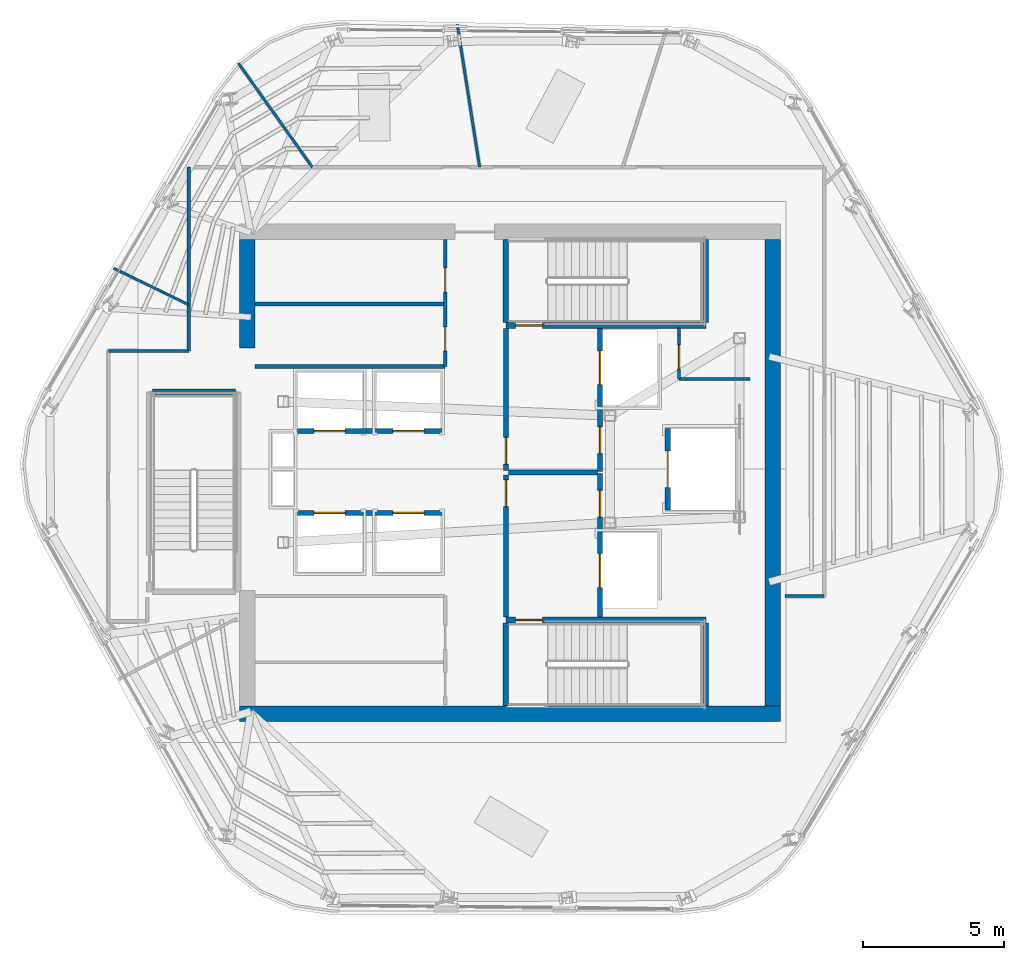
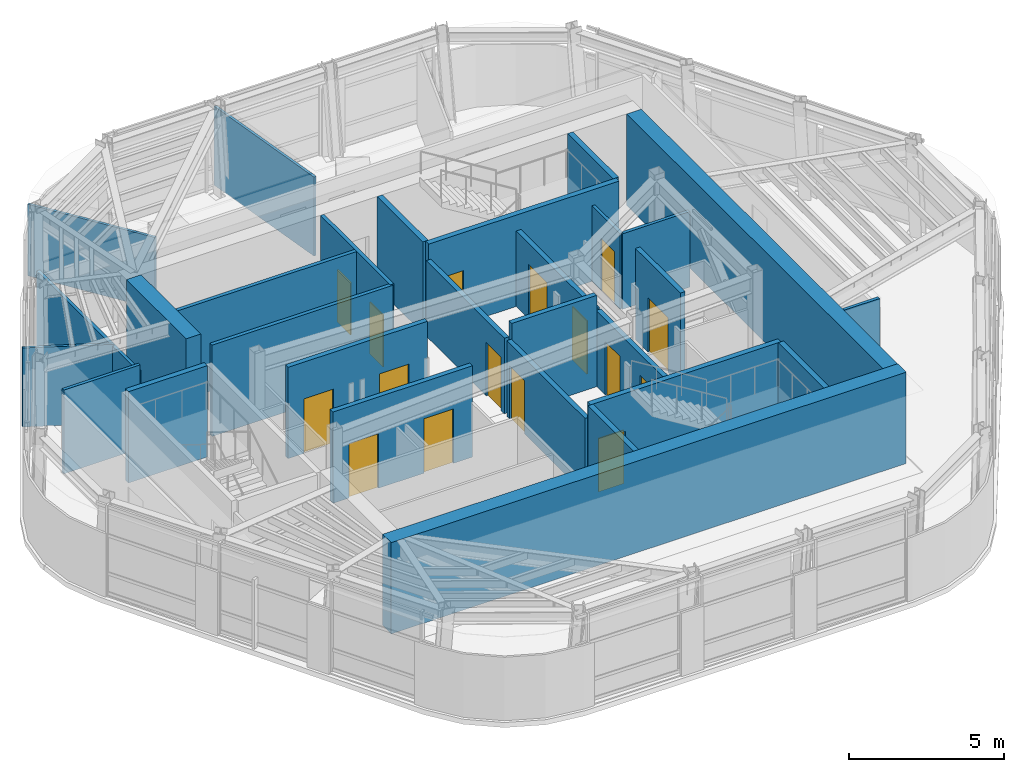
# One storey, part 7 of 13: 29 walls, 16 doors, 16 openings.
"""IFC4 building model written with IfcOpenShell, lengths in metres."""

from ifc_helpers import new_model, si_unit, direction, frame, frame_2d, origin, place, context, subcontext, project, spatial, rectangle, extrude, material, layer, layer_set, type_object, element, fill, save


model = new_model("IFC4")

# Units and contexts
model_context = context("Model", 3, precision=1e-05, world=origin(), true_north=direction((0.0, 1.0)))
body_context = subcontext(model_context, "Body", "Model", "MODEL_VIEW")
ifc_project = project(units=[si_unit("LENGTHUNIT", "METRE"), si_unit("AREAUNIT", "SQUARE_METRE"), si_unit("VOLUMEUNIT", "CUBIC_METRE"), si_unit("PLANEANGLEUNIT", "RADIAN"), si_unit("MASSUNIT", "GRAM", prefix="KILO")], contexts=[model_context])

# Site, building, storey
site_placement = place(None, origin())
site = spatial("IfcSite", under=ifc_project, at=site_placement, CompositionType="ELEMENT")
building_placement = place(site_placement, origin())
building = spatial("IfcBuilding", under=site, at=building_placement, Name="Valkerne Bourse Tower", CompositionType="ELEMENT")
storey_placement = place(building_placement, frame((0.0, 0.0, 281.199951171875)))
storey = spatial("IfcBuildingStorey", under=building, at=storey_placement, Name="L71", CompositionType="ELEMENT", Elevation=281.199951171875)

# Walls
ifc_material_1 = material(Name="Concrete C55/67", Category="concrete")
ifc_layer_1 = layer(ifc_material_1, 0.550048828125)
ifc_layer_set_1 = layer_set([ifc_layer_1], Name="Concrete C55/67")
wall_type_1 = type_object("IfcWallType", Name="W-CORE-550", PredefinedType="SHEAR", material=ifc_layer_set_1)
wall_1_placement = place(storey_placement, frame((37.199951171875, 18.324951171875, 0.0), z_axis=(0.0, 0.0, 1.0), x_axis=(1.0, 0.0, 0.0)))
element("IfcWall", 1, at=wall_1_placement, inside=storey, type_object=wall_type_1, Name="L71 Core Shear Wall SOUTH", PredefinedType="SHEAR", context=body_context, shape_type="SweptSolid", body=[
    extrude(rectangle(XDim=19.199951171875, YDim=0.550048828125, at=frame_2d((9.60009765625, 0.0))), origin(), (0.0, 0.0, 1.0), 3.60009765625),
])
wall_2_placement = place(storey_placement, frame((56.125, 18.60009765625, 0.0), z_axis=(0.0, 0.0, 1.0), x_axis=(0.0, 1.0, 0.0)))
element("IfcWall", 2, at=wall_2_placement, inside=storey, type_object=wall_type_1, Name="L71 Core Shear Wall EAST", PredefinedType="SHEAR", context=body_context, shape_type="SweptSolid", body=[
    extrude(rectangle(XDim=16.5498046875, YDim=0.550048828125, at=frame_2d((8.27490234375, 0.0))), origin(), (0.0, 0.0, 1.0), 3.60009765625),
])
wall_3_placement = place(storey_placement, frame((37.47509765625, 31.300048828125, 0.0), z_axis=(0.0, 0.0, 1.0), x_axis=(0.0, 1.0, 0.0)))
element("IfcWall", 3, at=wall_3_placement, inside=storey, type_object=wall_type_1, Name="L71 Core Shear Wall WEST-N", PredefinedType="SHEAR", context=body_context, shape_type="SweptSolid", body=[
    extrude(rectangle(XDim=3.849853515625, YDim=0.550048828125, at=frame_2d((1.9248046875, 0.0))), origin(), (0.0, 0.0, 1.0), 3.60009765625),
])

# Wall, opening, door
ifc_material_2 = material(Name="Gypsum Board Steel-Stud Partition", Category="steel")
ifc_layer_2 = layer(ifc_material_2, 0.117919921875)
ifc_layer_set_2 = layer_set([ifc_layer_2], Name="Gypsum Board Steel-Stud Partition")
wall_type_2 = type_object("IfcWallType", Name="W-CORR-140", PredefinedType="PARTITIONING", material=ifc_layer_set_2)
wall_4_placement = place(storey_placement, frame((52.800048828125, 30.199951171875, 0.0), z_axis=(0.0, 0.0, 1.0), x_axis=(0.0, 1.0, 0.0)))
wall_4 = element("IfcWall", 4, at=wall_4_placement, inside=storey, type_object=wall_type_2, Name="L71 Core NE Bay West Wall", PredefinedType="PARTITIONING", context=body_context, shape_type="SweptSolid", body=[
    extrude(rectangle(XDim=1.820068359375, YDim=0.117919921875, at=frame_2d((0.91015625, 0.0))), origin(), (0.0, 0.0, 1.0), 2.977783203125),
])
opening_1_placement = place(wall_4_placement, frame((0.35009765625, 0.0, 0.0)))
opening_1 = element("IfcOpeningElement", 5, at=opening_1_placement, cuts=wall_4, Name="Opening D-WC-900", PredefinedType="OPENING", context=body_context, shape_type="SweptSolid", body=[
    extrude(rectangle(XDim=0.860107421875, YDim=2.050048828125, at=frame_2d((0.43017578125, 1.02490234375))), frame((0.0, 0.06884765625, 0.0), z_axis=(0.0, -1.0, 0.0), x_axis=(1.0, 0.0, 0.0)), (0.0, 0.0, 1.0), 0.137939453125),
])
ifc_material_3 = material(Name="Architectural White Oak Timber", Category="wood")
door_type_1 = type_object("IfcDoorType", Name="DR-WC-900", OperationType="NOTDEFINED", PredefinedType="DOOR", material=ifc_material_3)
door_1_placement = place(opening_1_placement, origin())
door_1 = element("IfcDoor", 6, at=door_1_placement, inside=storey, type_object=door_type_1, Name="L71 Electrical Closet Door", OperationType="SINGLE_SWING_LEFT", OverallHeight=2.050048828125, OverallWidth=0.860107421875, PredefinedType="DOOR", context=body_context, shape_type="SweptSolid", body=[
    extrude(rectangle(XDim=0.860107421875, YDim=2.050048828125, at=frame_2d((0.43017578125, 1.02490234375))), frame((0.0, 0.02490234375, 0.0), z_axis=(0.0, -1.0, 0.0), x_axis=(1.0, 0.0, 0.0)), (0.0, 0.0, 1.0), 0.050048828125),
])
fill(opening_1, door_1)

# Walls
wall_5_placement = place(storey_placement, frame((52.800048828125, 30.199951171875, 0.0), z_axis=(0.0, 0.0, 1.0), x_axis=(1.0, 0.0, 0.0)))
element("IfcWall", 7, at=wall_5_placement, inside=storey, type_object=wall_type_2, Name="L71 Core NE Bay South Wall", PredefinedType="PARTITIONING", context=body_context, shape_type="SweptSolid", body=[
    extrude(rectangle(XDim=2.52001953125, YDim=0.117919921875, at=frame_2d((1.260009765625, 0.0))), origin(), (0.0, 0.0, 1.0), 2.977783203125),
])
wall_6_placement = place(storey_placement, frame((35.39990234375, 31.199951171875, 0.0), z_axis=(0.0, 0.0, 1.0), x_axis=(0.0, 1.0, 0.0)))
element("IfcWall", 8, at=wall_6_placement, inside=storey, type_object=wall_type_2, Name="L71 Corridor Enclosure Wall", PredefinedType="PARTITIONING", context=body_context, shape_type="SweptSolid", body=[
    extrude(rectangle(XDim=6.52001953125, YDim=0.117919921875, at=frame_2d((3.260009765625, 0.0))), origin(), (0.0, 0.0, 1.0), 3.04150390625),
])
wall_7_placement = place(storey_placement, frame((57.949951171875, 22.5, 0.0), z_axis=(0.0, 0.0, 1.0), x_axis=(-1.0, 0.0, 0.0)))
element("IfcWall", 9, at=wall_7_placement, inside=storey, type_object=wall_type_2, Name="L71 Corridor Enclosure Wall", PredefinedType="PARTITIONING", context=body_context, shape_type="SweptSolid", body=[
    extrude(rectangle(XDim=1.389892578125, YDim=0.117919921875, at=frame_2d((0.69482421875, 0.0))), origin(), (0.0, 0.0, 1.0), 3.300048828125),
])
wall_8_placement = place(storey_placement, frame((32.550048828125, 31.199951171875, 0.0), z_axis=(0.0, 0.0, 1.0), x_axis=(1.0, 0.0, 0.0)))
element("IfcWall", 10, at=wall_8_placement, inside=storey, type_object=wall_type_2, Name="L71 Corridor Enclosure Wall", PredefinedType="PARTITIONING", context=body_context, shape_type="SweptSolid", body=[
    extrude(rectangle(XDim=2.849853515625, YDim=0.117919921875, at=frame_2d((1.4248046875, 0.0))), origin(), (0.0, 0.0, 1.0), 3.300048828125),
])
ifc_material_4 = material(Name="Gypsum Fire-Rated Shaftwall", Category="gypsum")
ifc_layer_3 = layer(ifc_material_4, 0.179931640625)
ifc_layer_set_3 = layer_set([ifc_layer_3], Name="Gypsum Fire-Rated Shaftwall")
wall_type_3 = type_object("IfcWallType", Name="W-FSAE-180", PredefinedType="PARTITIONING", material=ifc_layer_set_3)
wall_9_placement = place(storey_placement, frame((46.739990234375, 26.8798828125, 0.0), z_axis=(0.0, 0.0, 1.0), x_axis=(1.0, 0.0, 0.0)))
element("IfcWall", 11, at=wall_9_placement, inside=storey, type_object=wall_type_3, Name="L71 FSAE-1/2 Lobby Dividing Fire Wall", PredefinedType="PARTITIONING", context=body_context, shape_type="SweptSolid", body=[
    extrude(rectangle(XDim=3.169921875, YDim=0.179931640625, at=frame_2d((1.5849609375, 0.0))), origin(), (0.0, 0.0, 1.0), 3.60009765625),
])

# Wall, opening, door
wall_10_placement = place(storey_placement, frame((46.64990234375, 21.75, 0.0), z_axis=(0.0, 0.0, 1.0), x_axis=(0.0, 1.0, 0.0)))
wall_10 = element("IfcWall", 12, at=wall_10_placement, inside=storey, type_object=wall_type_3, Name="L71 FSAE-1 Lobby West Fire Wall", PredefinedType="PARTITIONING", context=body_context, shape_type="SweptSolid", body=[
    extrude(rectangle(XDim=5.050048828125, YDim=0.179931640625, at=frame_2d((2.52490234375, 0.0))), origin(), (0.0, 0.0, 1.0), 2.977783203125),
])
opening_2_placement = place(wall_10_placement, frame((3.919921875, 0.0, 0.0)))
opening_2 = element("IfcOpeningElement", 13, at=opening_2_placement, cuts=wall_10, Name="Opening D-FS-950", PredefinedType="OPENING", context=body_context, shape_type="SweptSolid", body=[
    extrude(rectangle(XDim=0.949951171875, YDim=2.10009765625, at=frame_2d((0.47509765625, 1.050048828125))), frame((0.0, 0.099853515625, 0.0), z_axis=(0.0, -1.0, 0.0), x_axis=(1.0, 0.0, 0.0)), (0.0, 0.0, 1.0), 0.199951171875),
])
ifc_material_5 = material(Name="Galvanised Painted Steel", Category="steel")
door_type_2 = type_object("IfcDoorType", Name="DR-FSAE-950", OperationType="NOTDEFINED", PredefinedType="DOOR", material=ifc_material_5)
door_2_placement = place(opening_2_placement, origin())
door_2 = element("IfcDoor", 14, at=door_2_placement, inside=storey, type_object=door_type_2, Name="L71 FSAE-1 Hall Link Fire Door", OperationType="SINGLE_SWING_RIGHT", OverallHeight=2.10009765625, OverallWidth=0.949951171875, PredefinedType="DOOR", context=body_context, shape_type="SweptSolid", body=[
    extrude(rectangle(XDim=0.949951171875, YDim=2.10009765625, at=frame_2d((0.47509765625, 1.050048828125))), frame((0.0, 0.02490234375, 0.0), z_axis=(0.0, -1.0, 0.0), x_axis=(1.0, 0.0, 0.0)), (0.0, 0.0, 1.0), 0.050048828125),
])
fill(opening_2, door_2)

wall_11_placement = place(storey_placement, frame((46.64990234375, 26.9599609375, 0.0), z_axis=(0.0, 0.0, 1.0), x_axis=(0.0, 1.0, 0.0)))
wall_11 = element("IfcWall", 15, at=wall_11_placement, inside=storey, type_object=wall_type_3, Name="L71 FSAE-2 Lobby West Fire Wall", PredefinedType="PARTITIONING", context=body_context, shape_type="SweptSolid", body=[
    extrude(rectangle(XDim=5.0400390625, YDim=0.179931640625, at=frame_2d((2.52001953125, 0.0))), origin(), (0.0, 0.0, 1.0), 2.977783203125),
])
opening_3_placement = place(wall_11_placement, frame((0.219970703125, 0.0, 0.0)))
opening_3 = element("IfcOpeningElement", 16, at=opening_3_placement, cuts=wall_11, Name="Opening D-FS-950", PredefinedType="OPENING", context=body_context, shape_type="SweptSolid", body=[
    extrude(rectangle(XDim=0.949951171875, YDim=2.10009765625, at=frame_2d((0.47509765625, 1.050048828125))), frame((0.0, 0.099853515625, 0.0), z_axis=(0.0, -1.0, 0.0), x_axis=(1.0, 0.0, 0.0)), (0.0, 0.0, 1.0), 0.199951171875),
])
door_3_placement = place(opening_3_placement, origin())
door_3 = element("IfcDoor", 17, at=door_3_placement, inside=storey, type_object=door_type_2, Name="L71 FSAE-2 Hall Link Fire Door", OperationType="SINGLE_SWING_RIGHT", OverallHeight=2.10009765625, OverallWidth=0.949951171875, PredefinedType="DOOR", context=body_context, shape_type="SweptSolid", body=[
    extrude(rectangle(XDim=0.949951171875, YDim=2.10009765625, at=frame_2d((0.47509765625, 1.050048828125))), frame((0.0, 0.02490234375, 0.0), z_axis=(0.0, -1.0, 0.0), x_axis=(1.0, 0.0, 0.0)), (0.0, 0.0, 1.0), 0.050048828125),
])
fill(opening_3, door_3)

# Wall, openings, doors
wall_12_placement = place(storey_placement, frame((50.0, 21.75, 0.0), z_axis=(0.0, 0.0, 1.0), x_axis=(0.0, 1.0, 0.0)))
wall_12 = element("IfcWall", 18, at=wall_12_placement, inside=storey, type_object=wall_type_3, Name="L71 FSAE-1 Lobby & Shaft Front Wall", PredefinedType="PARTITIONING", context=body_context, shape_type="SweptSolid", body=[
    extrude(rectangle(XDim=5.090087890625, YDim=0.179931640625, at=frame_2d((2.544921875, 0.0))), origin(), (0.0, 0.0, 1.0), 2.977783203125),
])
opening_4_placement = place(wall_12_placement, frame((1.050048828125, 0.0, 0.0)))
opening_4 = element("IfcOpeningElement", 19, at=opening_4_placement, cuts=wall_12, Name="Opening LD-1200", PredefinedType="OPENING", context=body_context, shape_type="SweptSolid", body=[
    extrude(rectangle(XDim=1.199951171875, YDim=2.14990234375, at=frame_2d((0.60009765625, 1.074951171875))), frame((0.0, 0.099853515625, 0.0), z_axis=(0.0, -1.0, 0.0), x_axis=(1.0, 0.0, 0.0)), (0.0, 0.0, 1.0), 0.199951171875),
])
opening_5_placement = place(wall_12_placement, frame((3.550048828125, 0.0, 0.0)))
opening_5 = element("IfcOpeningElement", 20, at=opening_5_placement, cuts=wall_12, Name="Opening D-FS-950", PredefinedType="OPENING", context=body_context, shape_type="SweptSolid", body=[
    extrude(rectangle(XDim=0.949951171875, YDim=2.10009765625, at=frame_2d((0.47509765625, 1.050048828125))), frame((0.0, 0.099853515625, 0.0), z_axis=(0.0, -1.0, 0.0), x_axis=(1.0, 0.0, 0.0)), (0.0, 0.0, 1.0), 0.199951171875),
])
door_4_placement = place(opening_5_placement, origin())
door_4 = element("IfcDoor", 21, at=door_4_placement, inside=storey, type_object=door_type_2, Name="L71 FSAE-1 Lobby Corridor Fire Door", OperationType="SINGLE_SWING_RIGHT", OverallHeight=2.10009765625, OverallWidth=0.949951171875, PredefinedType="DOOR", context=body_context, shape_type="SweptSolid", body=[
    extrude(rectangle(XDim=0.949951171875, YDim=2.10009765625, at=frame_2d((0.47509765625, 1.050048828125))), frame((0.0, 0.02490234375, 0.0), z_axis=(0.0, -1.0, 0.0), x_axis=(1.0, 0.0, 0.0)), (0.0, 0.0, 1.0), 0.050048828125),
])
fill(opening_5, door_4)
ifc_material_6 = material(Name="Stainless Steel AISI 316", Category="steel")
door_type_3 = type_object("IfcDoorType", Name="DR-LIFT-1200", OperationType="DOUBLE_DOOR_SLIDING", PredefinedType="DOOR", material=ifc_material_6)
door_5_placement = place(opening_4_placement, origin())
door_5 = element("IfcDoor", 22, at=door_5_placement, inside=storey, type_object=door_type_3, Name="L71 FSAE-1 Firefighting Lift Landing Door", OperationType="DOUBLE_DOOR_SLIDING", OverallHeight=2.14990234375, OverallWidth=1.199951171875, PredefinedType="DOOR", context=body_context, shape_type="SweptSolid", body=[
    extrude(rectangle(XDim=1.199951171875, YDim=2.14990234375, at=frame_2d((0.60009765625, 1.074951171875))), frame((0.0, 0.02490234375, 0.0), z_axis=(0.0, -1.0, 0.0), x_axis=(1.0, 0.0, 0.0)), (0.0, 0.0, 1.0), 0.050048828125),
])
fill(opening_4, door_5)

wall_13_placement = place(storey_placement, frame((50.0, 26.919921875, 0.0), z_axis=(0.0, 0.0, 1.0), x_axis=(0.0, 1.0, 0.0)))
wall_13 = element("IfcWall", 23, at=wall_13_placement, inside=storey, type_object=wall_type_3, Name="L71 FSAE-2 Lobby & Shaft Front Wall", PredefinedType="PARTITIONING", context=body_context, shape_type="SweptSolid", body=[
    extrude(rectangle(XDim=5.080078125, YDim=0.179931640625, at=frame_2d((2.5400390625, 0.0))), origin(), (0.0, 0.0, 1.0), 2.977783203125),
])
opening_6_placement = place(wall_13_placement, frame((3.080078125, 0.0, 0.0)))
opening_6 = element("IfcOpeningElement", 24, at=opening_6_placement, cuts=wall_13, Name="Opening LD-1200", PredefinedType="OPENING", context=body_context, shape_type="SweptSolid", body=[
    extrude(rectangle(XDim=1.199951171875, YDim=2.14990234375, at=frame_2d((0.60009765625, 1.074951171875))), frame((0.0, 0.099853515625, 0.0), z_axis=(0.0, -1.0, 0.0), x_axis=(1.0, 0.0, 0.0)), (0.0, 0.0, 1.0), 0.199951171875),
])
opening_7_placement = place(wall_13_placement, frame((0.6298828125, 0.0, 0.0)))
opening_7 = element("IfcOpeningElement", 25, at=opening_7_placement, cuts=wall_13, Name="Opening D-FS-950", PredefinedType="OPENING", context=body_context, shape_type="SweptSolid", body=[
    extrude(rectangle(XDim=0.949951171875, YDim=2.10009765625, at=frame_2d((0.47509765625, 1.050048828125))), frame((0.0, 0.099853515625, 0.0), z_axis=(0.0, -1.0, 0.0), x_axis=(1.0, 0.0, 0.0)), (0.0, 0.0, 1.0), 0.199951171875),
])
door_6_placement = place(opening_7_placement, origin())
door_6 = element("IfcDoor", 26, at=door_6_placement, inside=storey, type_object=door_type_2, Name="L71 FSAE-2 Lobby Corridor Fire Door", OperationType="SINGLE_SWING_LEFT", OverallHeight=2.10009765625, OverallWidth=0.949951171875, PredefinedType="DOOR", context=body_context, shape_type="SweptSolid", body=[
    extrude(rectangle(XDim=0.949951171875, YDim=2.10009765625, at=frame_2d((0.47509765625, 1.050048828125))), frame((0.0, 0.02490234375, 0.0), z_axis=(0.0, -1.0, 0.0), x_axis=(1.0, 0.0, 0.0)), (0.0, 0.0, 1.0), 0.050048828125),
])
fill(opening_7, door_6)
door_7_placement = place(opening_6_placement, origin())
door_7 = element("IfcDoor", 27, at=door_7_placement, inside=storey, type_object=door_type_3, Name="L71 FSAE-2 Firefighting Lift Landing Door", OperationType="DOUBLE_DOOR_SLIDING", OverallHeight=2.14990234375, OverallWidth=1.199951171875, PredefinedType="DOOR", context=body_context, shape_type="SweptSolid", body=[
    extrude(rectangle(XDim=1.199951171875, YDim=2.14990234375, at=frame_2d((0.60009765625, 1.074951171875))), frame((0.0, 0.02490234375, 0.0), z_axis=(0.0, -1.0, 0.0), x_axis=(1.0, 0.0, 0.0)), (0.0, 0.0, 1.0), 0.050048828125),
])
fill(opening_6, door_7)

# Wall, opening, door
ifc_material_7 = material(Name="CMU Blockwork Masonry 200mm", Category="masonry")
ifc_layer_4 = layer(ifc_material_7, 0.179931640625)
ifc_layer_set_4 = layer_set([ifc_layer_4], Name="CMU Blockwork Masonry 200mm")
wall_type_4 = type_object("IfcWallType", Name="W-LFT-180", PredefinedType="SOLIDWALL", material=ifc_layer_set_4)
wall_14_placement = place(storey_placement, frame((52.39990234375, 25.550048828125, 0.0), z_axis=(0.0, 0.0, 1.0), x_axis=(0.0, 1.0, 0.0)))
wall_14 = element("IfcWall", 28, at=wall_14_placement, inside=storey, type_object=wall_type_4, Name="L71 Service Lift SV-1 Front Wall", PredefinedType="SOLIDWALL", context=body_context, shape_type="SweptSolid", body=[
    extrude(rectangle(XDim=2.89990234375, YDim=0.179931640625, at=frame_2d((1.449951171875, 0.0))), origin(), (0.0, 0.0, 1.0), 3.60009765625),
])
opening_8_placement = place(wall_14_placement, frame((0.800048828125, 0.0, 0.0)))
opening_8 = element("IfcOpeningElement", 29, at=opening_8_placement, cuts=wall_14, Name="Opening LD-1300", PredefinedType="OPENING", context=body_context, shape_type="SweptSolid", body=[
    extrude(rectangle(XDim=1.300048828125, YDim=2.14990234375, at=frame_2d((0.64990234375, 1.074951171875))), frame((0.0, 0.099853515625, 0.0), z_axis=(0.0, -1.0, 0.0), x_axis=(1.0, 0.0, 0.0)), (0.0, 0.0, 1.0), 0.199951171875),
])
door_type_4 = type_object("IfcDoorType", Name="DR-LIFT-1300", OperationType="DOUBLE_DOOR_SLIDING", PredefinedType="DOOR", material=ifc_material_6)
door_8_placement = place(opening_8_placement, origin())
door_8 = element("IfcDoor", 30, at=door_8_placement, inside=storey, type_object=door_type_4, Name="L71 Service Lift SV-1 Landing Door", OperationType="DOUBLE_DOOR_SLIDING", OverallHeight=2.14990234375, OverallWidth=1.300048828125, PredefinedType="DOOR", context=body_context, shape_type="SweptSolid", body=[
    extrude(rectangle(XDim=1.300048828125, YDim=2.14990234375, at=frame_2d((0.64990234375, 1.074951171875))), frame((0.0, 0.02490234375, 0.0), z_axis=(0.0, -1.0, 0.0), x_axis=(1.0, 0.0, 0.0)), (0.0, 0.0, 1.0), 0.050048828125),
])
fill(opening_8, door_8)

# Wall, openings, doors
wall_15_placement = place(storey_placement, frame((39.25, 25.449951171875, 0.0), z_axis=(0.0, 0.0, 1.0), x_axis=(1.0, 0.0, 0.0)))
wall_15 = element("IfcWall", 31, at=wall_15_placement, inside=storey, type_object=wall_type_4, Name="L71 High-Zone South Cars Front Wall", PredefinedType="SOLIDWALL", context=body_context, shape_type="SweptSolid", body=[
    extrude(rectangle(XDim=5.199951171875, YDim=0.179931640625, at=frame_2d((2.60009765625, 0.0))), origin(), (0.0, 0.0, 1.0), 3.60009765625),
])
opening_9_placement = place(wall_15_placement, frame((0.60009765625, 0.0, 0.0)))
opening_9 = element("IfcOpeningElement", 32, at=opening_9_placement, cuts=wall_15, Name="Opening LD-1100", PredefinedType="OPENING", context=body_context, shape_type="SweptSolid", body=[
    extrude(rectangle(XDim=1.10009765625, YDim=2.14990234375, at=frame_2d((0.550048828125, 1.074951171875))), frame((0.0, 0.099853515625, 0.0), z_axis=(0.0, -1.0, 0.0), x_axis=(1.0, 0.0, 0.0)), (0.0, 0.0, 1.0), 0.199951171875),
])
opening_10_placement = place(wall_15_placement, frame((3.39990234375, 0.0, 0.0)))
opening_10 = element("IfcOpeningElement", 33, at=opening_10_placement, cuts=wall_15, Name="Opening LD-1100", PredefinedType="OPENING", context=body_context, shape_type="SweptSolid", body=[
    extrude(rectangle(XDim=1.10009765625, YDim=2.14990234375, at=frame_2d((0.550048828125, 1.074951171875))), frame((0.0, 0.099853515625, 0.0), z_axis=(0.0, -1.0, 0.0), x_axis=(1.0, 0.0, 0.0)), (0.0, 0.0, 1.0), 0.199951171875),
])
door_type_5 = type_object("IfcDoorType", Name="DR-LIFT-1100", OperationType="DOUBLE_DOOR_SLIDING", PredefinedType="DOOR", material=ifc_material_6)
door_9_placement = place(opening_9_placement, origin())
door_9 = element("IfcDoor", 34, at=door_9_placement, inside=storey, type_object=door_type_5, Name="L71 Passenger Lift PL-H1 Sliding Landing Door", OperationType="DOUBLE_DOOR_SLIDING", OverallHeight=2.14990234375, OverallWidth=1.10009765625, PredefinedType="DOOR", context=body_context, shape_type="SweptSolid", body=[
    extrude(rectangle(XDim=1.10009765625, YDim=2.14990234375, at=frame_2d((0.550048828125, 1.074951171875))), frame((0.0, 0.02490234375, 0.0), z_axis=(0.0, -1.0, 0.0), x_axis=(1.0, 0.0, 0.0)), (0.0, 0.0, 1.0), 0.050048828125),
])
fill(opening_9, door_9)
door_10_placement = place(opening_10_placement, origin())
door_10 = element("IfcDoor", 35, at=door_10_placement, inside=storey, type_object=door_type_5, Name="L71 Passenger Lift PL-H2 Sliding Landing Door", OperationType="DOUBLE_DOOR_SLIDING", OverallHeight=2.14990234375, OverallWidth=1.10009765625, PredefinedType="DOOR", context=body_context, shape_type="SweptSolid", body=[
    extrude(rectangle(XDim=1.10009765625, YDim=2.14990234375, at=frame_2d((0.550048828125, 1.074951171875))), frame((0.0, 0.02490234375, 0.0), z_axis=(0.0, -1.0, 0.0), x_axis=(1.0, 0.0, 0.0)), (0.0, 0.0, 1.0), 0.050048828125),
])
fill(opening_10, door_10)

wall_16_placement = place(storey_placement, frame((39.25, 28.35009765625, 0.0), z_axis=(0.0, 0.0, 1.0), x_axis=(1.0, 0.0, 0.0)))
wall_16 = element("IfcWall", 36, at=wall_16_placement, inside=storey, type_object=wall_type_4, Name="L71 High-Zone North Cars Front Wall", PredefinedType="SOLIDWALL", context=body_context, shape_type="SweptSolid", body=[
    extrude(rectangle(XDim=5.199951171875, YDim=0.179931640625, at=frame_2d((2.60009765625, 0.0))), origin(), (0.0, 0.0, 1.0), 3.60009765625),
])
opening_11_placement = place(wall_16_placement, frame((0.60009765625, 0.0, 0.0)))
opening_11 = element("IfcOpeningElement", 37, at=opening_11_placement, cuts=wall_16, Name="Opening LD-1100", PredefinedType="OPENING", context=body_context, shape_type="SweptSolid", body=[
    extrude(rectangle(XDim=1.10009765625, YDim=2.14990234375, at=frame_2d((0.550048828125, 1.074951171875))), frame((0.0, 0.099853515625, 0.0), z_axis=(0.0, -1.0, 0.0), x_axis=(1.0, 0.0, 0.0)), (0.0, 0.0, 1.0), 0.199951171875),
])
opening_12_placement = place(wall_16_placement, frame((3.39990234375, 0.0, 0.0)))
opening_12 = element("IfcOpeningElement", 38, at=opening_12_placement, cuts=wall_16, Name="Opening LD-1100", PredefinedType="OPENING", context=body_context, shape_type="SweptSolid", body=[
    extrude(rectangle(XDim=1.10009765625, YDim=2.14990234375, at=frame_2d((0.550048828125, 1.074951171875))), frame((0.0, 0.099853515625, 0.0), z_axis=(0.0, -1.0, 0.0), x_axis=(1.0, 0.0, 0.0)), (0.0, 0.0, 1.0), 0.199951171875),
])
door_11_placement = place(opening_11_placement, origin())
door_11 = element("IfcDoor", 39, at=door_11_placement, inside=storey, type_object=door_type_5, Name="L71 Passenger Lift PL-H3 Sliding Landing Door", OperationType="DOUBLE_DOOR_SLIDING", OverallHeight=2.14990234375, OverallWidth=1.10009765625, PredefinedType="DOOR", context=body_context, shape_type="SweptSolid", body=[
    extrude(rectangle(XDim=1.10009765625, YDim=2.14990234375, at=frame_2d((0.550048828125, 1.074951171875))), frame((0.0, 0.02490234375, 0.0), z_axis=(0.0, -1.0, 0.0), x_axis=(1.0, 0.0, 0.0)), (0.0, 0.0, 1.0), 0.050048828125),
])
fill(opening_11, door_11)
door_12_placement = place(opening_12_placement, origin())
door_12 = element("IfcDoor", 40, at=door_12_placement, inside=storey, type_object=door_type_5, Name="L71 Passenger Lift PL-H4 Sliding Landing Door", OperationType="DOUBLE_DOOR_SLIDING", OverallHeight=2.14990234375, OverallWidth=1.10009765625, PredefinedType="DOOR", context=body_context, shape_type="SweptSolid", body=[
    extrude(rectangle(XDim=1.10009765625, YDim=2.14990234375, at=frame_2d((0.550048828125, 1.074951171875))), frame((0.0, 0.02490234375, 0.0), z_axis=(0.0, -1.0, 0.0), x_axis=(1.0, 0.0, 0.0)), (0.0, 0.0, 1.0), 0.050048828125),
])
fill(opening_12, door_12)

# Walls
ifc_layer_5 = layer(ifc_material_2, 0.092041015625)
ifc_layer_set_5 = layer_set([ifc_layer_5], Name="Gypsum Board Steel-Stud Partition")
wall_type_5 = type_object("IfcWallType", Name="W-PART-115", PredefinedType="PARTITIONING", material=ifc_layer_set_5)
wall_17_placement = place(storey_placement, frame((45.720458984375, 37.72509765625, 0.0), z_axis=(0.0, 0.0, 1.0), x_axis=(-0.154696315502, 0.987962069095, 0.0)))
element("IfcWall", 41, at=wall_17_placement, inside=storey, type_object=wall_type_5, Name="L71 Suite Partition P02", PredefinedType="PARTITIONING", context=body_context, shape_type="SweptSolid", body=[
    extrude(rectangle(XDim=5.129150390625, YDim=0.092041015625, at=frame_2d((2.564453125, 0.0))), origin(), (0.0, 0.0, 1.0), 3.114990234375),
])
wall_18_placement = place(storey_placement, frame((39.778076171875, 37.72509765625, 0.0), z_axis=(0.0, 0.0, 1.0), x_axis=(-0.579271297544, 0.815134813293, 0.0)))
element("IfcWall", 42, at=wall_18_placement, inside=storey, type_object=wall_type_5, Name="L71 Suite Partition P03", PredefinedType="PARTITIONING", context=body_context, shape_type="SweptSolid", body=[
    extrude(rectangle(XDim=4.5244140625, YDim=0.092041015625, at=frame_2d((2.26220703125, 0.0))), origin(), (0.0, 0.0, 1.0), 2.820556640625),
])
wall_19_placement = place(storey_placement, frame((35.39501953125, 32.838134765625, 0.0), z_axis=(0.0, 0.0, 1.0), x_axis=(-0.899284141851, 0.437364873094, 0.0)))
element("IfcWall", 43, at=wall_19_placement, inside=storey, type_object=wall_type_5, Name="L71 Suite Partition P04", PredefinedType="PARTITIONING", context=body_context, shape_type="SweptSolid", body=[
    extrude(rectangle(XDim=2.962890625, YDim=0.092041015625, at=frame_2d((1.4814453125, 0.0))), origin(), (0.0, 0.0, 1.0), 3.114990234375),
])

# Wall, opening, door
ifc_material_8 = material(Name="Concrete C40/50", Category="concrete")
ifc_layer_6 = layer(ifc_material_8, 0.199951171875)
ifc_layer_set_6 = layer_set([ifc_layer_6], Name="Concrete C40/50")
wall_type_6 = type_object("IfcWallType", Name="W-SHF-200", PredefinedType="SHEAR", material=ifc_layer_set_6)
wall_20_placement = place(storey_placement, frame((46.64990234375, 21.64990234375, 0.0), z_axis=(0.0, 0.0, 1.0), x_axis=(1.0, 0.0, 0.0)))
wall_20 = element("IfcWall", 44, at=wall_20_placement, inside=storey, type_object=wall_type_6, Name="L71 Exit Stair ST-1 Structural Shaft Wall North", PredefinedType="SHEAR", context=body_context, shape_type="SweptSolid", body=[
    extrude(rectangle(XDim=7.10009765625, YDim=0.199951171875, at=frame_2d((3.550048828125, 0.0))), origin(), (0.0, 0.0, 1.0), 3.60009765625),
])
opening_13_placement = place(wall_20_placement, frame((0.35009765625, 0.0, 0.0)))
opening_13 = element("IfcOpeningElement", 45, at=opening_13_placement, cuts=wall_20, Name="Opening D-ST-950", PredefinedType="OPENING", context=body_context, shape_type="SweptSolid", body=[
    extrude(rectangle(XDim=0.949951171875, YDim=2.10009765625, at=frame_2d((0.47509765625, 1.050048828125))), frame((0.0, 0.10986328125, 0.0), z_axis=(0.0, -1.0, 0.0), x_axis=(1.0, 0.0, 0.0)), (0.0, 0.0, 1.0), 0.219970703125),
])
door_type_6 = type_object("IfcDoorType", Name="DR-STAIR-950", OperationType="NOTDEFINED", PredefinedType="DOOR", material=ifc_material_5)
door_13_placement = place(opening_13_placement, origin())
door_13 = element("IfcDoor", 46, at=door_13_placement, inside=storey, type_object=door_type_6, Name="L71 Exit Stair ST-1 Door", OperationType="SINGLE_SWING_RIGHT", OverallHeight=2.10009765625, OverallWidth=0.949951171875, PredefinedType="DOOR", context=body_context, shape_type="SweptSolid", body=[
    extrude(rectangle(XDim=0.949951171875, YDim=2.10009765625, at=frame_2d((0.47509765625, 1.050048828125))), frame((0.0, 0.02490234375, 0.0), z_axis=(0.0, -1.0, 0.0), x_axis=(1.0, 0.0, 0.0)), (0.0, 0.0, 1.0), 0.050048828125),
])
fill(opening_13, door_13)

# Walls
for number, where, z_axis, x_axis, name in (
    (47, (46.64990234375, 18.60009765625, 0.0), (0.0, 0.0, 1.0), (0.0, 1.0, 0.0), "L71 Exit Stair ST-1 Structural Shaft Wall West"),
    (48, (53.75, 18.60009765625, 0.0), (0.0, 0.0, 1.0), (0.0, 1.0, 0.0), "L71 Exit Stair ST-1 Structural Shaft Wall East"),
):
    element("IfcWall", number, at=place(storey_placement, frame(where, z_axis=z_axis, x_axis=x_axis)), inside=storey, type_object=wall_type_6, Name=name, PredefinedType="SHEAR", context=body_context, shape_type="SweptSolid", body=[
        extrude(rectangle(XDim=2.949951171875, YDim=0.199951171875, at=frame_2d((1.47509765625, 0.0))), origin(), (0.0, 0.0, 1.0), 3.60009765625),
    ])

# Wall, opening, door
wall_21_placement = place(storey_placement, frame((46.64990234375, 32.10009765625, 0.0), z_axis=(0.0, 0.0, 1.0), x_axis=(1.0, 0.0, 0.0)))
wall_21 = element("IfcWall", 49, at=wall_21_placement, inside=storey, type_object=wall_type_6, Name="L71 Exit Stair ST-2 Structural Shaft Wall South", PredefinedType="SHEAR", context=body_context, shape_type="SweptSolid", body=[
    extrude(rectangle(XDim=7.10009765625, YDim=0.199951171875, at=frame_2d((3.550048828125, 0.0))), origin(), (0.0, 0.0, 1.0), 3.60009765625),
])
opening_14_placement = place(wall_21_placement, frame((0.35009765625, 0.0, 0.0)))
opening_14 = element("IfcOpeningElement", 50, at=opening_14_placement, cuts=wall_21, Name="Opening D-ST-950", PredefinedType="OPENING", context=body_context, shape_type="SweptSolid", body=[
    extrude(rectangle(XDim=0.949951171875, YDim=2.10009765625, at=frame_2d((0.47509765625, 1.050048828125))), frame((0.0, 0.10986328125, 0.0), z_axis=(0.0, -1.0, 0.0), x_axis=(1.0, 0.0, 0.0)), (0.0, 0.0, 1.0), 0.219970703125),
])
door_14_placement = place(opening_14_placement, origin())
door_14 = element("IfcDoor", 51, at=door_14_placement, inside=storey, type_object=door_type_6, Name="L71 Exit Stair ST-2 Door", OperationType="SINGLE_SWING_RIGHT", OverallHeight=2.10009765625, OverallWidth=0.949951171875, PredefinedType="DOOR", context=body_context, shape_type="SweptSolid", body=[
    extrude(rectangle(XDim=0.949951171875, YDim=2.10009765625, at=frame_2d((0.47509765625, 1.050048828125))), frame((0.0, 0.02490234375, 0.0), z_axis=(0.0, -1.0, 0.0), x_axis=(1.0, 0.0, 0.0)), (0.0, 0.0, 1.0), 0.050048828125),
])
fill(opening_14, door_14)

# Walls
for number, where, z_axis, x_axis, name in (
    (52, (46.64990234375, 32.199951171875, 0.0), (0.0, 0.0, 1.0), (0.0, 1.0, 0.0), "L71 Exit Stair ST-2 Structural Shaft Wall West"),
    (53, (53.75, 32.199951171875, 0.0), (0.0, 0.0, 1.0), (0.0, 1.0, 0.0), "L71 Exit Stair ST-2 Structural Shaft Wall East"),
    (54, (34.10009765625, 29.75, 0.0), (0.0, 0.0, 1.0), (1.0, 0.0, 0.0), "L71 Exit Stair ST-3 Structural Shaft Wall North"),
):
    element("IfcWall", number, at=place(storey_placement, frame(where, z_axis=z_axis, x_axis=x_axis)), inside=storey, type_object=wall_type_6, Name=name, PredefinedType="SHEAR", context=body_context, shape_type="SweptSolid", body=[
        extrude(rectangle(XDim=2.949951171875, YDim=0.199951171875, at=frame_2d((1.47509765625, 0.0))), origin(), (0.0, 0.0, 1.0), 3.60009765625),
    ])

# Wall, openings, doors
ifc_material_9 = material(Name="Moisture-Resistant Gypsum Partition", Category="gypsum")
ifc_layer_7 = layer(ifc_material_9, 0.139892578125)
ifc_layer_set_7 = layer_set([ifc_layer_7], Name="Moisture-Resistant Gypsum Partition")
wall_type_7 = type_object("IfcWallType", Name="W-WET-140", PredefinedType="PARTITIONING", material=ifc_layer_set_7)
wall_22_placement = place(storey_placement, frame((44.5, 30.639892578125, 0.0), z_axis=(0.0, 0.0, 1.0), x_axis=(0.0, 1.0, 0.0)))
wall_22 = element("IfcWall", 55, at=wall_22_placement, inside=storey, type_object=wall_type_7, Name="L71 LV7 Mid-Bank East Wall", PredefinedType="PARTITIONING", context=body_context, shape_type="SweptSolid", body=[
    extrude(rectangle(XDim=4.510009765625, YDim=0.139892578125, at=frame_2d((2.2548828125, 0.0))), origin(), (0.0, 0.0, 1.0), 3.60009765625),
])
opening_15_placement = place(wall_22_placement, frame((0.550048828125, 0.0, 0.0)))
opening_15 = element("IfcOpeningElement", 56, at=opening_15_placement, cuts=wall_22, Name="Opening D-WC-900", PredefinedType="OPENING", context=body_context, shape_type="SweptSolid", body=[
    extrude(rectangle(XDim=0.860107421875, YDim=2.050048828125, at=frame_2d((0.43017578125, 1.02490234375))), frame((0.0, 0.079833984375, 0.0), z_axis=(0.0, -1.0, 0.0), x_axis=(1.0, 0.0, 0.0)), (0.0, 0.0, 1.0), 0.159912109375),
])
opening_16_placement = place(wall_22_placement, frame((2.64990234375, 0.0, 0.0)))
opening_16 = element("IfcOpeningElement", 57, at=opening_16_placement, cuts=wall_22, Name="Opening D-WC-900", PredefinedType="OPENING", context=body_context, shape_type="SweptSolid", body=[
    extrude(rectangle(XDim=0.860107421875, YDim=2.050048828125, at=frame_2d((0.43017578125, 1.02490234375))), frame((0.0, 0.079833984375, 0.0), z_axis=(0.0, -1.0, 0.0), x_axis=(1.0, 0.0, 0.0)), (0.0, 0.0, 1.0), 0.159912109375),
])
door_15_placement = place(opening_15_placement, origin())
door_15 = element("IfcDoor", 58, at=door_15_placement, inside=storey, type_object=door_type_1, Name="L71 Executive Kitchen Door", OperationType="SINGLE_SWING_LEFT", OverallHeight=2.050048828125, OverallWidth=0.860107421875, PredefinedType="DOOR", context=body_context, shape_type="SweptSolid", body=[
    extrude(rectangle(XDim=0.860107421875, YDim=2.050048828125, at=frame_2d((0.43017578125, 1.02490234375))), frame((0.0, 0.02490234375, 0.0), z_axis=(0.0, -1.0, 0.0), x_axis=(1.0, 0.0, 0.0)), (0.0, 0.0, 1.0), 0.050048828125),
])
fill(opening_15, door_15)
door_16_placement = place(opening_16_placement, origin())
door_16 = element("IfcDoor", 59, at=door_16_placement, inside=storey, type_object=door_type_1, Name="L71 Executive Briefing Office Door", OperationType="SINGLE_SWING_LEFT", OverallHeight=2.050048828125, OverallWidth=0.860107421875, PredefinedType="DOOR", context=body_context, shape_type="SweptSolid", body=[
    extrude(rectangle(XDim=0.860107421875, YDim=2.050048828125, at=frame_2d((0.43017578125, 1.02490234375))), frame((0.0, 0.02490234375, 0.0), z_axis=(0.0, -1.0, 0.0), x_axis=(1.0, 0.0, 0.0)), (0.0, 0.0, 1.0), 0.050048828125),
])
fill(opening_16, door_16)

# Walls
for number, where, z_axis, x_axis, name in (
    (60, (37.75, 32.8701171875, 0.0), (0.0, 0.0, 1.0), (1.0, 0.0, 0.0), "L71 LV7 Mid-Bank Sub-Divider"),
    (61, (37.75, 30.639892578125, 0.0), (0.0, 0.0, 1.0), (1.0, 0.0, 0.0), "L71 LV7 Mid-Bank South Wall"),
):
    element("IfcWall", number, at=place(storey_placement, frame(where, z_axis=z_axis, x_axis=x_axis)), inside=storey, type_object=wall_type_7, Name=name, PredefinedType="PARTITIONING", context=body_context, shape_type="SweptSolid", body=[
        extrude(rectangle(XDim=6.75, YDim=0.139892578125, at=frame_2d((3.375, 0.0))), origin(), (0.0, 0.0, 1.0), 3.60009765625),
    ])

save(model, "model.ifc")
